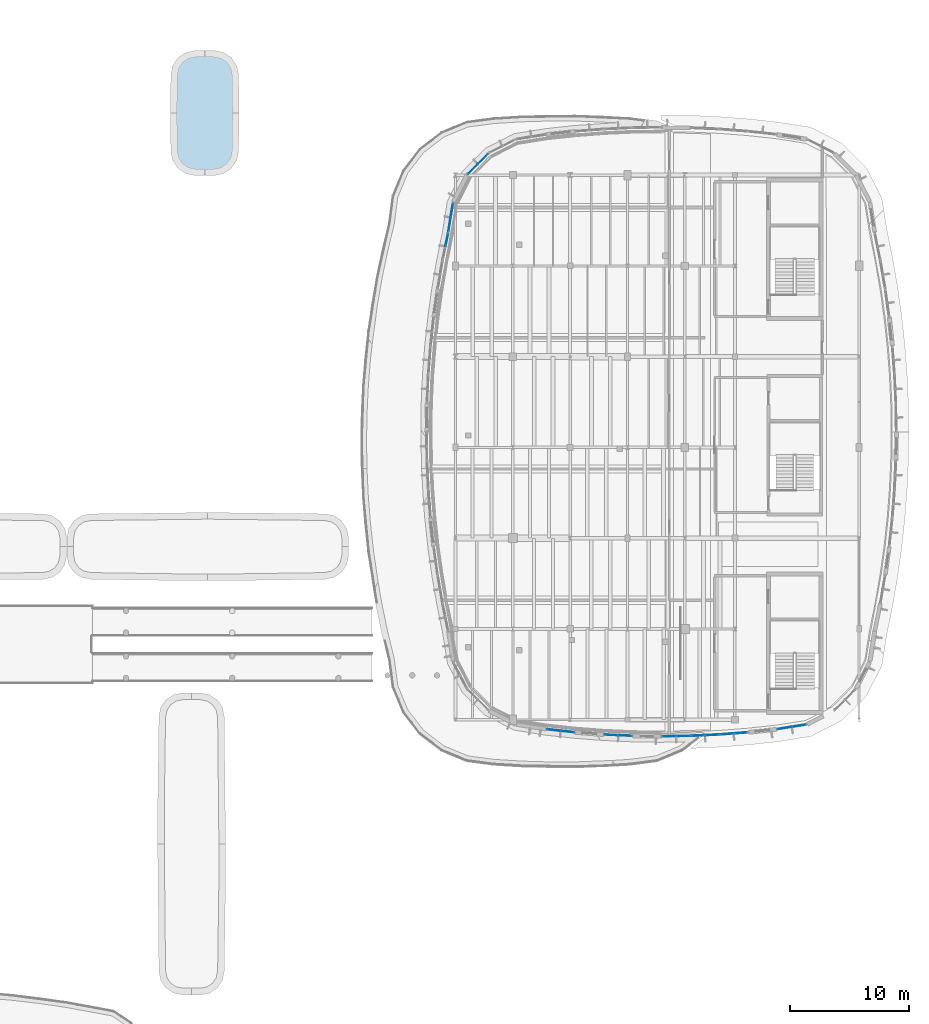
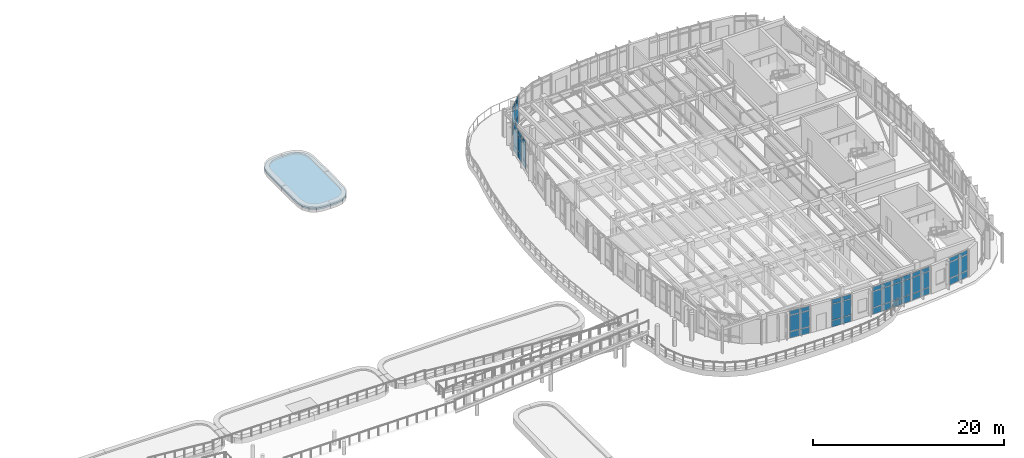
# One storey, part 77 of 111: 51 plates, 1 slab, 9 elements without a shape of their own.
"""IFC4 building model written with IfcOpenShell, lengths in metres."""

import ifcopenshell
import ifcopenshell.guid

model = None  # the IFC model being written
_history = None  # IfcOwnerHistory: only IFC2X3 demands one
_inside = {}  # id of a spatial element -> (the spatial element, [elements in it])
_under = {}  # id of a project, library or spatial element -> (it, [spatial elements below it])
_declared = {}  # id of a project -> (the project, [libraries it declares])
_typed = {}  # id of a type object -> (the type object, [elements of that type])
_made_of = {}  # id of a material, layer set ... -> (it, [elements and type objects made of it])


def new_model(schema):
    """Start an empty IFC model of exactly this schema.

    Asked for "IFC4X3", IfcOpenShell would pick the latest addendum, in which some entities
    have other attributes; the version numbers below select the first issue.
    IFC2X3 requires an IfcOwnerHistory on every rooted entity: one is made here for all.
    """
    global model, _history
    if schema == "IFC4X3":
        model = ifcopenshell.file(schema_version=(4, 3, 0, 0))
    else:
        model = ifcopenshell.file(schema=schema)
    _inside.clear()
    _under.clear()
    _declared.clear()
    _typed.clear()
    _made_of.clear()
    _history = None
    if model.schema == "IFC2X3":
        org = make("IfcOrganization", Name="unknown")
        user = make(
            "IfcPersonAndOrganization",
            ThePerson=make("IfcPerson", FamilyName="unknown"),
            TheOrganization=org,
        )
        app = make(
            "IfcApplication",
            ApplicationDeveloper=org,
            Version="unknown",
            ApplicationFullName="unknown",
            ApplicationIdentifier="unknown",
        )
        _history = make(
            "IfcOwnerHistory",
            OwningUser=user,
            OwningApplication=app,
            ChangeAction="ADDED",
            CreationDate=0,
        )
    return model


def make(cls, **values):
    """One entity of the class cls with the attributes given. An attribute that is None is left unset."""
    return model.create_entity(
        cls, **{name: value for name, value in values.items() if value is not None}
    )


def rooted(cls, **values):
    """An entity with a GlobalId (a new one), such as an element, a storey or a relation."""
    return make(cls, GlobalId=ifcopenshell.guid.new(), OwnerHistory=_history, **values)


def si_unit(unit_type, name, prefix=None):
    """IfcSIUnit, for example si_unit("LENGTHUNIT", "METRE", prefix="MILLI")."""
    return make("IfcSIUnit", UnitType=unit_type, Prefix=prefix, Name=name)


def assignment(units):
    """IfcUnitAssignment: the units of a project."""
    return None if units is None else make("IfcUnitAssignment", Units=units)


def point(xyz):
    """IfcCartesianPoint."""
    return None if xyz is None else make("IfcCartesianPoint", Coordinates=xyz)


def direction(xyz):
    """IfcDirection."""
    return None if xyz is None else make("IfcDirection", DirectionRatios=xyz)


def frame(location, z_axis=None, x_axis=None):
    """IfcAxis2Placement3D, a coordinate frame: its origin and axes. An axis left out is left unset."""
    return make(
        "IfcAxis2Placement3D",
        Location=point(location),
        Axis=direction(z_axis),
        RefDirection=direction(x_axis),
    )


def frame_2d(location, x_axis=None):
    """IfcAxis2Placement2D, a coordinate frame in the plane: its origin and x axis."""
    return make(
        "IfcAxis2Placement2D", Location=point(location), RefDirection=direction(x_axis)
    )


def origin():
    """The frame at (0, 0, 0) with its axes left unset."""
    return frame((0.0, 0.0, 0.0))


def origin_2d():
    """The frame at (0, 0) in the plane with its x axis left unset."""
    return frame_2d((0.0, 0.0))


def place(relative_to, where):
    """IfcLocalPlacement: puts the frame where relative to a parent placement (None: the world)."""
    return make(
        "IfcLocalPlacement", PlacementRelTo=relative_to, RelativePlacement=where
    )


def context(
    kind, dimensions, precision=None, world=None, true_north=None, identifier=None
):
    """IfcGeometricRepresentationContext, for example the 3D "Model" context."""
    return make(
        "IfcGeometricRepresentationContext",
        ContextIdentifier=identifier,
        ContextType=kind,
        CoordinateSpaceDimension=dimensions,
        Precision=precision,
        WorldCoordinateSystem=world,
        TrueNorth=true_north,
    )


def subcontext(parent, identifier, kind, view, scale=None):
    """IfcGeometricRepresentationSubContext, for example "Body" below "Model"."""
    return make(
        "IfcGeometricRepresentationSubContext",
        ContextIdentifier=identifier,
        ContextType=kind,
        ParentContext=parent,
        TargetScale=scale,
        TargetView=view,
    )


def project(units=None, contexts=None):
    """IfcProject with its units and contexts."""
    return rooted(
        "IfcProject",
        Name="project",
        RepresentationContexts=contexts,
        UnitsInContext=assignment(units),
    )


def spatial(cls, under=None, at=None, **own):
    """A site, building, storey or space (cls), placed at a placement, below another one or the project."""
    s = rooted(cls, ObjectPlacement=at, **own)
    if under is not None:
        _under.setdefault(under.id(), (under, []))[1].append(s)
    return s


def polyline(points):
    """IfcPolyline through the points."""
    return make("IfcPolyline", Points=[point(p) for p in points])


def profile(cls, at=None, kind="AREA", **sizes):
    """A parametric profile (cls). Its sizes go by their IFC names, for example OverallWidth=200.0."""
    return make(cls, ProfileType=kind, Position=at, **sizes)


def rectangle(**sizes):
    """IfcRectangleProfileDef."""
    return profile("IfcRectangleProfileDef", **sizes)


def outline(outer, holes=None, kind="AREA"):
    """IfcArbitraryClosedProfileDef: a profile drawn as a closed curve; with holes, ...WithVoids."""
    if holes is None:
        return make("IfcArbitraryClosedProfileDef", ProfileType=kind, OuterCurve=outer)
    return make(
        "IfcArbitraryProfileDefWithVoids",
        ProfileType=kind,
        OuterCurve=outer,
        InnerCurves=holes,
    )


def extrude(swept, where, along, depth):
    """IfcExtrudedAreaSolid: the profile swept, set in the frame where, extruded along a direction by depth."""
    return make(
        "IfcExtrudedAreaSolid",
        SweptArea=swept,
        Position=where,
        ExtrudedDirection=direction(along),
        Depth=depth,
    )


def shape(context_of_items, identifier, shape_type, items):
    """IfcShapeRepresentation: the items that make up one representation, for example the "Body"."""
    return make(
        "IfcShapeRepresentation",
        ContextOfItems=context_of_items,
        RepresentationIdentifier=identifier,
        RepresentationType=shape_type,
        Items=items,
    )


def material(Name=None, Category=None):
    """IfcMaterial."""
    return make("IfcMaterial", Name=Name, Category=Category)


def layer(
    of_material, thickness, ventilated=None, Name=None, Category=None, Priority=None
):
    """IfcMaterialLayer: one layer of a wall or slab, of a material (None: an air gap)."""
    return make(
        "IfcMaterialLayer",
        Material=of_material,
        LayerThickness=thickness,
        IsVentilated=ventilated,
        Name=Name,
        Category=Category,
        Priority=Priority,
    )


def layer_set(layers, Name=None):
    """IfcMaterialLayerSet."""
    return make("IfcMaterialLayerSet", MaterialLayers=layers, LayerSetName=Name)


def made_of(thing, what):
    """Note that an element or type object is made of a material, layer set ...; save() writes the relation."""
    if what is not None:
        _made_of.setdefault(what.id(), (what, []))[1].append(thing)
    return thing


def type_object(cls, material=None, **own):
    """A type object (cls), such as IfcWallType, which elements share."""
    return made_of(rooted(cls, **own), material)


def element(
    cls,
    number,
    at=None,
    inside=None,
    cuts=None,
    type_object=None,
    material=None,
    context=None,
    identifier="Body",
    shape_type=None,
    held_by="IfcProductDefinitionShape",
    body=None,
    shapes=None,
    **own,
):
    """One element of the class cls, such as IfcWall. Its Tag is "e" and its number.

    at: its placement. inside: the storey or other place that contains it. cuts: it is an
    opening in that element (IfcRelVoidsElement). A single representation is given by context,
    identifier, shape_type and body (its items); several are given by shapes. held_by: the class
    of the entity that holds the representations. save() writes the other relations.
    """
    e = rooted(cls, Tag="e%d" % number, ObjectPlacement=at, **own)
    if body is not None:
        shapes = [shape(context, identifier, shape_type, body)]
    if shapes is not None:
        e.Representation = make(held_by, Representations=shapes)
    if inside is not None:
        _inside.setdefault(inside.id(), (inside, []))[1].append(e)
    if cuts is not None:
        rooted(
            "IfcRelVoidsElement", RelatingBuildingElement=cuts, RelatedOpeningElement=e
        )
    if type_object is not None:
        _typed.setdefault(type_object.id(), (type_object, []))[1].append(e)
    return made_of(e, material)


def aggregate(whole, parts):
    """IfcRelAggregates: a whole, such as a stair, and the parts it consists of."""
    return rooted("IfcRelAggregates", RelatingObject=whole, RelatedObjects=parts)


def save(model, path):
    """Write the relations noted so far, then the file.

    IfcRelAggregates (storeys below a building ...), IfcRelContainedInSpatialStructure (elements
    in a storey), IfcRelDefinesByType, IfcRelAssociatesMaterial and IfcRelDeclares: one each for
    every whole, place, type object, material and project.
    """
    for whole, parts in _under.values():
        aggregate(whole, parts)
    for where, things in _inside.values():
        rooted(
            "IfcRelContainedInSpatialStructure",
            RelatedElements=things,
            RelatingStructure=where,
        )
    for kind, things in _typed.values():
        rooted("IfcRelDefinesByType", RelatedObjects=things, RelatingType=kind)
    for what, things in _made_of.values():
        rooted("IfcRelAssociatesMaterial", RelatedObjects=things, RelatingMaterial=what)
    for by, libraries in _declared.values():
        rooted("IfcRelDeclares", RelatingContext=by, RelatedDefinitions=libraries)
    model.write(path)


model = new_model("IFC4")

# Units and contexts
model_context = context("Model", 3, precision=1e-05, world=origin(), true_north=direction((0.0, 1.0)))
body_context = subcontext(model_context, "Body", "Model", "MODEL_VIEW")
ifc_project = project(units=[si_unit("LENGTHUNIT", "METRE"), si_unit("AREAUNIT", "SQUARE_METRE"), si_unit("VOLUMEUNIT", "CUBIC_METRE"), si_unit("PLANEANGLEUNIT", "RADIAN"), si_unit("MASSUNIT", "GRAM", prefix="KILO")], contexts=[model_context])

# Site, building, storey
site_placement = place(None, origin())
site = spatial("IfcSite", under=ifc_project, at=site_placement, CompositionType="ELEMENT")
building_placement = place(site_placement, origin())
building = spatial("IfcBuilding", under=site, at=building_placement, Name="Corveleigh Park Community Centre", CompositionType="ELEMENT")
storey_placement = place(building_placement, frame((0.0, 0.0, 4.800048828125)))
storey = spatial("IfcBuildingStorey", under=building, at=storey_placement, Name="L01", CompositionType="ELEMENT", Elevation=4.800048828125)

# Curtain wall, plates
ifc_material_1 = material(Name="Anodised aluminium 6063-T6", Category="aluminium")
curtain_wall_type = type_object("IfcCurtainWallType", Name="CW-SYS-V4-L01", PredefinedType="NOTDEFINED", material=ifc_material_1)
curtain_wall_1_placement = place(storey_placement, origin())
curtain_wall_1 = element("IfcCurtainWall", 1, at=curtain_wall_1_placement, inside=storey, type_object=curtain_wall_type, Name="V4 L01 Curtain Wall 265", PredefinedType="NOTDEFINED")
ifc_material_2 = material(Name="Low-E double glazing", Category="glass")
ifc_layer_1 = layer(ifc_material_2, 0.02392578125, Name="Low-E double glazing", Category="glass")
ifc_layer_set_1 = layer_set([ifc_layer_1], Name="Low-E double glazing")
plate_type_1 = type_object("IfcPlateType", Name="CWP-GLZ-24", PredefinedType="CURTAIN_PANEL", material=ifc_layer_set_1)
plate_1_placement = place(storey_placement, frame((163.35986328125, 58.094482421875, 0.080078125), z_axis=(0.0, 0.0, 1.0), x_axis=(-0.987724261762, -0.156207498942, 0.0)))
plate_1 = element("IfcPlate", 2, at=plate_1_placement, type_object=plate_type_1, Name="CW08 panel 1.1", PredefinedType="CURTAIN_PANEL", context=body_context, shape_type="SweptSolid", body=[
    extrude(rectangle(XDim=1.16796875, YDim=0.02392578125, at=origin_2d()), origin(), (0.0, 0.0, 1.0), 0.780029296875),
])
plate_2_placement = place(storey_placement, frame((163.35986328125, 58.094482421875, 0.93994140625), z_axis=(0.0, 0.0, 1.0), x_axis=(-0.987724261762, -0.156207498942, 0.0)))
plate_2 = element("IfcPlate", 3, at=plate_2_placement, type_object=plate_type_1, Name="CW08 panel 1.2", PredefinedType="CURTAIN_PANEL", context=body_context, shape_type="SweptSolid", body=[
    extrude(rectangle(XDim=1.16796875, YDim=0.02392578125, at=origin_2d()), origin(), (0.0, 0.0, 1.0), 1.98193359375),
])
plate_3_placement = place(storey_placement, frame((163.35986328125, 58.094482421875, 3.001953125), z_axis=(0.0, 0.0, 1.0), x_axis=(-0.987724261762, -0.156207498942, 0.0)))
plate_3 = element("IfcPlate", 4, at=plate_3_placement, type_object=plate_type_1, Name="CW08 panel 1.3", PredefinedType="CURTAIN_PANEL", context=body_context, shape_type="SweptSolid", body=[
    extrude(rectangle(XDim=1.16796875, YDim=0.02392578125, at=origin_2d()), origin(), (0.0, 0.0, 1.0), 0.530029296875),
])
plate_4_placement = place(storey_placement, frame((162.14697265625, 57.902587890625, 0.080078125), z_axis=(0.0, 0.0, 1.0), x_axis=(-0.987724261762, -0.156207498942, 0.0)))
plate_4 = element("IfcPlate", 5, at=plate_4_placement, type_object=plate_type_1, Name="CW08 panel 2.1", PredefinedType="CURTAIN_PANEL", context=body_context, shape_type="SweptSolid", body=[
    extrude(rectangle(XDim=1.16796875, YDim=0.02392578125, at=origin_2d()), origin(), (0.0, 0.0, 1.0), 0.780029296875),
])
plate_5_placement = place(storey_placement, frame((162.14697265625, 57.902587890625, 0.93994140625), z_axis=(0.0, 0.0, 1.0), x_axis=(-0.987724261762, -0.156207498942, 0.0)))
plate_5 = element("IfcPlate", 6, at=plate_5_placement, type_object=plate_type_1, Name="CW08 panel 2.2", PredefinedType="CURTAIN_PANEL", context=body_context, shape_type="SweptSolid", body=[
    extrude(rectangle(XDim=1.16796875, YDim=0.02392578125, at=origin_2d()), origin(), (0.0, 0.0, 1.0), 1.98193359375),
])
plate_6_placement = place(storey_placement, frame((162.14697265625, 57.902587890625, 3.001953125), z_axis=(0.0, 0.0, 1.0), x_axis=(-0.987724261762, -0.156207498942, 0.0)))
plate_6 = element("IfcPlate", 7, at=plate_6_placement, type_object=plate_type_1, Name="CW08 panel 2.3", PredefinedType="CURTAIN_PANEL", context=body_context, shape_type="SweptSolid", body=[
    extrude(rectangle(XDim=1.16796875, YDim=0.02392578125, at=origin_2d()), origin(), (0.0, 0.0, 1.0), 0.530029296875),
])
aggregate(curtain_wall_1, [plate_1, plate_2, plate_3, plate_4, plate_5, plate_6])

curtain_wall_2_placement = place(storey_placement, origin())
curtain_wall_2 = element("IfcCurtainWall", 8, at=curtain_wall_2_placement, inside=storey, type_object=curtain_wall_type, Name="V4 L01 Curtain Wall 260", PredefinedType="NOTDEFINED")
ifc_layer_2 = layer(ifc_material_2, 0.035888671875, Name="Low-E double glazing", Category="glass")
ifc_layer_set_2 = layer_set([ifc_layer_2], Name="Low-E double glazing")
plate_type_2 = type_object("IfcPlateType", Name="CWP-GLZ-36", PredefinedType="CURTAIN_PANEL", material=ifc_layer_set_2)
plate_7_placement = place(storey_placement, frame((143.98291015625, 57.6064453125, 0.080078125), z_axis=(0.0, 0.0, 1.0), x_axis=(-0.994150304811, 0.108005423213, 0.0)))
plate_7 = element("IfcPlate", 9, at=plate_7_placement, type_object=plate_type_2, Name="CW08 panel 1.1", PredefinedType="CURTAIN_PANEL", context=body_context, shape_type="SweptSolid", body=[
    extrude(rectangle(XDim=1.1015625, YDim=0.035888671875, at=origin_2d()), origin(), (0.0, 0.0, 1.0), 0.780029296875),
])
plate_8_placement = place(storey_placement, frame((143.98291015625, 57.6064453125, 0.93994140625), z_axis=(0.0, 0.0, 1.0), x_axis=(-0.994150304811, 0.108005423213, 0.0)))
plate_8 = element("IfcPlate", 10, at=plate_8_placement, type_object=plate_type_2, Name="CW08 panel 1.2", PredefinedType="CURTAIN_PANEL", context=body_context, shape_type="SweptSolid", body=[
    extrude(rectangle(XDim=1.1015625, YDim=0.035888671875, at=origin_2d()), origin(), (0.0, 0.0, 1.0), 2.007080078125),
])
plate_9_placement = place(storey_placement, frame((143.98291015625, 57.6064453125, 3.02685546875), z_axis=(0.0, 0.0, 1.0), x_axis=(-0.994150304811, 0.108005423213, 0.0)))
plate_9 = element("IfcPlate", 11, at=plate_9_placement, type_object=plate_type_2, Name="CW08 panel 1.3", PredefinedType="CURTAIN_PANEL", context=body_context, shape_type="SweptSolid", body=[
    extrude(rectangle(XDim=1.1015625, YDim=0.035888671875, at=origin_2d()), origin(), (0.0, 0.0, 1.0), 0.530029296875),
])
plate_10_placement = place(storey_placement, frame((142.8232421875, 57.732421875, 0.080078125), z_axis=(0.0, 0.0, 1.0), x_axis=(-0.994150304811, 0.108005423213, 0.0)))
plate_10 = element("IfcPlate", 12, at=plate_10_placement, type_object=plate_type_2, Name="CW08 panel 2.1", PredefinedType="CURTAIN_PANEL", context=body_context, shape_type="SweptSolid", body=[
    extrude(rectangle(XDim=1.1015625, YDim=0.035888671875, at=origin_2d()), origin(), (0.0, 0.0, 1.0), 0.780029296875),
])
plate_11_placement = place(storey_placement, frame((142.8232421875, 57.732421875, 0.93994140625), z_axis=(0.0, 0.0, 1.0), x_axis=(-0.994150304811, 0.108005423213, 0.0)))
plate_11 = element("IfcPlate", 13, at=plate_11_placement, type_object=plate_type_2, Name="CW08 panel 2.2", PredefinedType="CURTAIN_PANEL", context=body_context, shape_type="SweptSolid", body=[
    extrude(rectangle(XDim=1.1015625, YDim=0.035888671875, at=origin_2d()), origin(), (0.0, 0.0, 1.0), 2.007080078125),
])
plate_12_placement = place(storey_placement, frame((142.8232421875, 57.732421875, 3.02685546875), z_axis=(0.0, 0.0, 1.0), x_axis=(-0.994150304811, 0.108005423213, 0.0)))
plate_12 = element("IfcPlate", 14, at=plate_12_placement, type_object=plate_type_2, Name="CW08 panel 2.3", PredefinedType="CURTAIN_PANEL", context=body_context, shape_type="SweptSolid", body=[
    extrude(rectangle(XDim=1.1015625, YDim=0.035888671875, at=origin_2d()), origin(), (0.0, 0.0, 1.0), 0.530029296875),
])
aggregate(curtain_wall_2, [plate_7, plate_8, plate_9, plate_10, plate_11, plate_12])

curtain_wall_3_placement = place(storey_placement, origin())
curtain_wall_3 = element("IfcCurtainWall", 15, at=curtain_wall_3_placement, inside=storey, type_object=curtain_wall_type, Name="V4 L01 Curtain Wall 261", PredefinedType="NOTDEFINED")
ifc_layer_3 = layer(ifc_material_2, 0.0400390625, Name="Low-E double glazing", Category="glass")
ifc_layer_set_3 = layer_set([ifc_layer_3], Name="Low-E double glazing")
plate_type_3 = type_object("IfcPlateType", Name="CWP-GLZ-40", PredefinedType="CURTAIN_PANEL", material=ifc_layer_set_3)
plate_13_placement = place(storey_placement, frame((148.805908203125, 57.269775390625, 0.059814453125), z_axis=(0.0, 0.0, 1.0), x_axis=(-0.998911075247, 0.046654729122, 0.0)))
plate_13 = element("IfcPlate", 16, at=plate_13_placement, type_object=plate_type_3, Name="CW08 panel 1.1", PredefinedType="CURTAIN_PANEL", context=body_context, shape_type="SweptSolid", body=[
    extrude(rectangle(XDim=1.09521484375, YDim=0.0400390625, at=origin_2d()), origin(), (0.0, 0.0, 1.0), 0.81005859375),
])
plate_14_placement = place(storey_placement, frame((148.805908203125, 57.269775390625, 0.9296875), z_axis=(0.0, 0.0, 1.0), x_axis=(-0.998911075247, 0.046654729122, 0.0)))
plate_14 = element("IfcPlate", 17, at=plate_14_placement, type_object=plate_type_3, Name="CW08 panel 1.2", PredefinedType="CURTAIN_PANEL", context=body_context, shape_type="SweptSolid", body=[
    extrude(rectangle(XDim=1.09521484375, YDim=0.0400390625, at=origin_2d()), origin(), (0.0, 0.0, 1.0), 2.027099609375),
])
plate_15_placement = place(storey_placement, frame((148.805908203125, 57.269775390625, 3.016845703125), z_axis=(0.0, 0.0, 1.0), x_axis=(-0.998911075247, 0.046654729122, 0.0)))
plate_15 = element("IfcPlate", 18, at=plate_15_placement, type_object=plate_type_3, Name="CW08 panel 1.3", PredefinedType="CURTAIN_PANEL", context=body_context, shape_type="SweptSolid", body=[
    extrude(rectangle(XDim=1.09521484375, YDim=0.0400390625, at=origin_2d()), origin(), (0.0, 0.0, 1.0), 0.56005859375),
])
plate_16_placement = place(storey_placement, frame((147.64208984375, 57.32421875, 0.059814453125), z_axis=(0.0, 0.0, 1.0), x_axis=(-0.998911075247, 0.046654729122, 0.0)))
plate_16 = element("IfcPlate", 19, at=plate_16_placement, type_object=plate_type_3, Name="CW08 panel 2.1", PredefinedType="CURTAIN_PANEL", context=body_context, shape_type="SweptSolid", body=[
    extrude(rectangle(XDim=1.09521484375, YDim=0.0400390625, at=origin_2d()), origin(), (0.0, 0.0, 1.0), 0.81005859375),
])
plate_17_placement = place(storey_placement, frame((147.64208984375, 57.32421875, 0.9296875), z_axis=(0.0, 0.0, 1.0), x_axis=(-0.998911075247, 0.046654729122, 0.0)))
plate_17 = element("IfcPlate", 20, at=plate_17_placement, type_object=plate_type_3, Name="CW08 panel 2.2", PredefinedType="CURTAIN_PANEL", context=body_context, shape_type="SweptSolid", body=[
    extrude(rectangle(XDim=1.09521484375, YDim=0.0400390625, at=origin_2d()), origin(), (0.0, 0.0, 1.0), 2.027099609375),
])
plate_18_placement = place(storey_placement, frame((147.64208984375, 57.32421875, 3.016845703125), z_axis=(0.0, 0.0, 1.0), x_axis=(-0.998911075247, 0.046654729122, 0.0)))
plate_18 = element("IfcPlate", 21, at=plate_18_placement, type_object=plate_type_3, Name="CW08 panel 2.3", PredefinedType="CURTAIN_PANEL", context=body_context, shape_type="SweptSolid", body=[
    extrude(rectangle(XDim=1.09521484375, YDim=0.0400390625, at=origin_2d()), origin(), (0.0, 0.0, 1.0), 0.56005859375),
])
aggregate(curtain_wall_3, [plate_13, plate_14, plate_15, plate_16, plate_17, plate_18])

curtain_wall_4_placement = place(storey_placement, origin())
curtain_wall_4 = element("IfcCurtainWall", 22, at=curtain_wall_4_placement, inside=storey, type_object=curtain_wall_type, Name="V4 L01 Curtain Wall 262", PredefinedType="NOTDEFINED")
plate_19_placement = place(storey_placement, frame((153.64013671875, 57.2314453125, 0.06494140625), z_axis=(0.0, 0.0, 1.0), x_axis=(-0.999881184374, -0.01541483492, 0.0)))
plate_19 = element("IfcPlate", 23, at=plate_19_placement, type_object=plate_type_3, Name="CW08 panel 1.1", PredefinedType="CURTAIN_PANEL", context=body_context, shape_type="SweptSolid", body=[
    extrude(rectangle(XDim=1.087646484375, YDim=0.0400390625, at=origin_2d()), origin(), (0.0, 0.0, 1.0), 0.802490234375),
])
plate_20_placement = place(storey_placement, frame((153.64013671875, 57.2314453125, 0.932373046875), z_axis=(0.0, 0.0, 1.0), x_axis=(-0.999881184374, -0.01541483492, 0.0)))
plate_20 = element("IfcPlate", 24, at=plate_20_placement, type_object=plate_type_3, Name="CW08 panel 1.2", PredefinedType="CURTAIN_PANEL", context=body_context, shape_type="SweptSolid", body=[
    extrude(rectangle(XDim=1.087646484375, YDim=0.0400390625, at=origin_2d()), origin(), (0.0, 0.0, 1.0), 2.02197265625),
])
plate_21_placement = place(storey_placement, frame((153.64013671875, 57.2314453125, 3.01953125), z_axis=(0.0, 0.0, 1.0), x_axis=(-0.999881184374, -0.01541483492, 0.0)))
plate_21 = element("IfcPlate", 25, at=plate_21_placement, type_object=plate_type_3, Name="CW08 panel 1.3", PredefinedType="CURTAIN_PANEL", context=body_context, shape_type="SweptSolid", body=[
    extrude(rectangle(XDim=1.087646484375, YDim=0.0400390625, at=origin_2d()), origin(), (0.0, 0.0, 1.0), 0.552490234375),
])
plate_22_placement = place(storey_placement, frame((152.477783203125, 57.213623046875, 0.06494140625), z_axis=(0.0, 0.0, 1.0), x_axis=(-0.999881184374, -0.01541483492, 0.0)))
plate_22 = element("IfcPlate", 26, at=plate_22_placement, type_object=plate_type_3, Name="CW08 panel 2.1", PredefinedType="CURTAIN_PANEL", context=body_context, shape_type="SweptSolid", body=[
    extrude(rectangle(XDim=1.087646484375, YDim=0.0400390625, at=origin_2d()), origin(), (0.0, 0.0, 1.0), 0.802490234375),
])
plate_23_placement = place(storey_placement, frame((152.477783203125, 57.213623046875, 0.932373046875), z_axis=(0.0, 0.0, 1.0), x_axis=(-0.999881184374, -0.01541483492, 0.0)))
plate_23 = element("IfcPlate", 27, at=plate_23_placement, type_object=plate_type_3, Name="CW08 panel 2.2", PredefinedType="CURTAIN_PANEL", context=body_context, shape_type="SweptSolid", body=[
    extrude(rectangle(XDim=1.087646484375, YDim=0.0400390625, at=origin_2d()), origin(), (0.0, 0.0, 1.0), 2.02197265625),
])
plate_24_placement = place(storey_placement, frame((152.477783203125, 57.213623046875, 3.01953125), z_axis=(0.0, 0.0, 1.0), x_axis=(-0.999881184374, -0.01541483492, 0.0)))
plate_24 = element("IfcPlate", 28, at=plate_24_placement, type_object=plate_type_3, Name="CW08 panel 2.3", PredefinedType="CURTAIN_PANEL", context=body_context, shape_type="SweptSolid", body=[
    extrude(rectangle(XDim=1.087646484375, YDim=0.0400390625, at=origin_2d()), origin(), (0.0, 0.0, 1.0), 0.552490234375),
])
aggregate(curtain_wall_4, [plate_19, plate_20, plate_21, plate_22, plate_23, plate_24])

curtain_wall_5_placement = place(storey_placement, origin())
curtain_wall_5 = element("IfcCurtainWall", 29, at=curtain_wall_5_placement, inside=storey, type_object=curtain_wall_type, Name="V4 L01 Curtain Wall 286", PredefinedType="NOTDEFINED")
plate_25_placement = place(storey_placement, frame((136.046142578125, 104.7001953125, 0.059814453125), z_axis=(0.0, 0.0, 1.0), x_axis=(0.707106781187, 0.707106781187, 0.0)))
plate_25 = element("IfcPlate", 30, at=plate_25_placement, type_object=plate_type_3, Name="CW08 panel 1.1", PredefinedType="CURTAIN_PANEL", context=body_context, shape_type="SweptSolid", body=[
    extrude(rectangle(XDim=1.132080078125, YDim=0.0400390625, at=origin_2d()), origin(), (0.0, 0.0, 1.0), 0.81005859375),
])
plate_26_placement = place(storey_placement, frame((136.046142578125, 104.7001953125, 0.9296875), z_axis=(0.0, 0.0, 1.0), x_axis=(0.707106781187, 0.707106781187, 0.0)))
plate_26 = element("IfcPlate", 31, at=plate_26_placement, type_object=plate_type_3, Name="CW08 panel 1.2", PredefinedType="CURTAIN_PANEL", context=body_context, shape_type="SweptSolid", body=[
    extrude(rectangle(XDim=1.132080078125, YDim=0.0400390625, at=origin_2d()), origin(), (0.0, 0.0, 1.0), 2.027099609375),
])
plate_27_placement = place(storey_placement, frame((136.046142578125, 104.7001953125, 3.016845703125), z_axis=(0.0, 0.0, 1.0), x_axis=(0.707106781187, 0.707106781187, 0.0)))
plate_27 = element("IfcPlate", 32, at=plate_27_placement, type_object=plate_type_3, Name="CW08 panel 1.3", PredefinedType="CURTAIN_PANEL", context=body_context, shape_type="SweptSolid", body=[
    extrude(rectangle(XDim=1.132080078125, YDim=0.0400390625, at=origin_2d()), origin(), (0.0, 0.0, 1.0), 0.56005859375),
])
plate_28_placement = place(storey_placement, frame((136.899658203125, 105.5537109375, 0.059814453125), z_axis=(0.0, 0.0, 1.0), x_axis=(0.707106781187, 0.707106781187, 0.0)))
plate_28 = element("IfcPlate", 33, at=plate_28_placement, type_object=plate_type_3, Name="CW08 panel 2.1", PredefinedType="CURTAIN_PANEL", context=body_context, shape_type="SweptSolid", body=[
    extrude(rectangle(XDim=1.132080078125, YDim=0.0400390625, at=origin_2d()), origin(), (0.0, 0.0, 1.0), 0.81005859375),
])
plate_29_placement = place(storey_placement, frame((136.899658203125, 105.5537109375, 0.9296875), z_axis=(0.0, 0.0, 1.0), x_axis=(0.707106781187, 0.707106781187, 0.0)))
plate_29 = element("IfcPlate", 34, at=plate_29_placement, type_object=plate_type_3, Name="CW08 panel 2.2", PredefinedType="CURTAIN_PANEL", context=body_context, shape_type="SweptSolid", body=[
    extrude(rectangle(XDim=1.132080078125, YDim=0.0400390625, at=origin_2d()), origin(), (0.0, 0.0, 1.0), 2.027099609375),
])
plate_30_placement = place(storey_placement, frame((136.899658203125, 105.5537109375, 3.016845703125), z_axis=(0.0, 0.0, 1.0), x_axis=(0.707106781187, 0.707106781187, 0.0)))
plate_30 = element("IfcPlate", 35, at=plate_30_placement, type_object=plate_type_3, Name="CW08 panel 2.3", PredefinedType="CURTAIN_PANEL", context=body_context, shape_type="SweptSolid", body=[
    extrude(rectangle(XDim=1.132080078125, YDim=0.0400390625, at=origin_2d()), origin(), (0.0, 0.0, 1.0), 0.56005859375),
])
aggregate(curtain_wall_5, [plate_25, plate_26, plate_27, plate_28, plate_29, plate_30])

curtain_wall_6_placement = place(storey_placement, origin())
curtain_wall_6 = element("IfcCurtainWall", 36, at=curtain_wall_6_placement, inside=storey, type_object=curtain_wall_type, Name="V4 L01 Curtain Wall 263", PredefinedType="NOTDEFINED")
ifc_layer_4 = layer(ifc_material_2, 0.0439453125, Name="Low-E double glazing", Category="glass")
ifc_layer_set_4 = layer_set([ifc_layer_4], Name="Low-E double glazing")
plate_type_4 = type_object("IfcPlateType", Name="CWP-GLZ-44", PredefinedType="CURTAIN_PANEL", material=ifc_layer_set_4)
plate_31_placement = place(storey_placement, frame((156.055419921875, 57.323974609375, 0.070068359375), z_axis=(0.0, 0.0, 1.0), x_axis=(-0.998911075247, -0.046654729122, 0.0)))
plate_31 = element("IfcPlate", 37, at=plate_31_placement, type_object=plate_type_4, Name="CW08 panel 1.1", PredefinedType="CURTAIN_PANEL", context=body_context, shape_type="SweptSolid", body=[
    extrude(rectangle(XDim=1.080322265625, YDim=0.0439453125, at=origin_2d()), origin(), (0.0, 0.0, 1.0), 0.794921875),
])
plate_32_placement = place(storey_placement, frame((156.055419921875, 57.323974609375, 0.934814453125), z_axis=(0.0, 0.0, 1.0), x_axis=(-0.998911075247, -0.046654729122, 0.0)))
plate_32 = element("IfcPlate", 38, at=plate_32_placement, type_object=plate_type_4, Name="CW08 panel 1.2", PredefinedType="CURTAIN_PANEL", context=body_context, shape_type="SweptSolid", body=[
    extrude(rectangle(XDim=1.080322265625, YDim=0.0439453125, at=origin_2d()), origin(), (0.0, 0.0, 1.0), 2.01708984375),
])
plate_33_placement = place(storey_placement, frame((156.055419921875, 57.323974609375, 3.02197265625), z_axis=(0.0, 0.0, 1.0), x_axis=(-0.998911075247, -0.046654729122, 0.0)))
plate_33 = element("IfcPlate", 39, at=plate_33_placement, type_object=plate_type_4, Name="CW08 panel 1.3", PredefinedType="CURTAIN_PANEL", context=body_context, shape_type="SweptSolid", body=[
    extrude(rectangle(XDim=1.080322265625, YDim=0.0439453125, at=origin_2d()), origin(), (0.0, 0.0, 1.0), 0.544921875),
])
plate_34_placement = place(storey_placement, frame((154.896484375, 57.27001953125, 0.070068359375), z_axis=(0.0, 0.0, 1.0), x_axis=(-0.998911075247, -0.046654729122, 0.0)))
plate_34 = element("IfcPlate", 40, at=plate_34_placement, type_object=plate_type_4, Name="CW08 panel 2.1", PredefinedType="CURTAIN_PANEL", context=body_context, shape_type="SweptSolid", body=[
    extrude(rectangle(XDim=1.080322265625, YDim=0.0439453125, at=origin_2d()), origin(), (0.0, 0.0, 1.0), 0.794921875),
])
plate_35_placement = place(storey_placement, frame((154.896484375, 57.27001953125, 0.934814453125), z_axis=(0.0, 0.0, 1.0), x_axis=(-0.998911075247, -0.046654729122, 0.0)))
plate_35 = element("IfcPlate", 41, at=plate_35_placement, type_object=plate_type_4, Name="CW08 panel 2.2", PredefinedType="CURTAIN_PANEL", context=body_context, shape_type="SweptSolid", body=[
    extrude(rectangle(XDim=1.080322265625, YDim=0.0439453125, at=origin_2d()), origin(), (0.0, 0.0, 1.0), 2.01708984375),
])
plate_36_placement = place(storey_placement, frame((154.896484375, 57.27001953125, 3.02197265625), z_axis=(0.0, 0.0, 1.0), x_axis=(-0.998911075247, -0.046654729122, 0.0)))
plate_36 = element("IfcPlate", 42, at=plate_36_placement, type_object=plate_type_4, Name="CW08 panel 2.3", PredefinedType="CURTAIN_PANEL", context=body_context, shape_type="SweptSolid", body=[
    extrude(rectangle(XDim=1.080322265625, YDim=0.0439453125, at=origin_2d()), origin(), (0.0, 0.0, 1.0), 0.544921875),
])
aggregate(curtain_wall_6, [plate_31, plate_32, plate_33, plate_34, plate_35, plate_36])

curtain_wall_7_placement = place(storey_placement, origin())
curtain_wall_7 = element("IfcCurtainWall", 43, at=curtain_wall_7_placement, inside=storey, type_object=curtain_wall_type, Name="V4 L01 Curtain Wall 264", PredefinedType="NOTDEFINED")
plate_37_placement = place(storey_placement, frame((158.46728515625, 57.490478515625, 0.074951171875), z_axis=(0.0, 0.0, 1.0), x_axis=(-0.997059383263, -0.076632801378, 0.0)))
plate_37 = element("IfcPlate", 44, at=plate_37_placement, type_object=plate_type_4, Name="CW08 panel 1.1", PredefinedType="CURTAIN_PANEL", context=body_context, shape_type="SweptSolid", body=[
    extrude(rectangle(XDim=1.072998046875, YDim=0.0439453125, at=origin_2d()), origin(), (0.0, 0.0, 1.0), 0.78759765625),
])
plate_38_placement = place(storey_placement, frame((158.46728515625, 57.490478515625, 0.9375), z_axis=(0.0, 0.0, 1.0), x_axis=(-0.997059383263, -0.076632801378, 0.0)))
plate_38 = element("IfcPlate", 45, at=plate_38_placement, type_object=plate_type_4, Name="CW08 panel 1.2", PredefinedType="CURTAIN_PANEL", context=body_context, shape_type="SweptSolid", body=[
    extrude(rectangle(XDim=1.072998046875, YDim=0.0439453125, at=origin_2d()), origin(), (0.0, 0.0, 1.0), 1.987060546875),
])
plate_39_placement = place(storey_placement, frame((158.46728515625, 57.490478515625, 2.99951171875), z_axis=(0.0, 0.0, 1.0), x_axis=(-0.997059383263, -0.076632801378, 0.0)))
plate_39 = element("IfcPlate", 46, at=plate_39_placement, type_object=plate_type_4, Name="CW08 panel 1.3", PredefinedType="CURTAIN_PANEL", context=body_context, shape_type="SweptSolid", body=[
    extrude(rectangle(XDim=1.072998046875, YDim=0.0439453125, at=origin_2d()), origin(), (0.0, 0.0, 1.0), 0.53759765625),
])
plate_40_placement = place(storey_placement, frame((157.312744140625, 57.401611328125, 0.074951171875), z_axis=(0.0, 0.0, 1.0), x_axis=(-0.997059383263, -0.076632801378, 0.0)))
plate_40 = element("IfcPlate", 47, at=plate_40_placement, type_object=plate_type_4, Name="CW08 panel 2.1", PredefinedType="CURTAIN_PANEL", context=body_context, shape_type="SweptSolid", body=[
    extrude(rectangle(XDim=1.072998046875, YDim=0.0439453125, at=origin_2d()), origin(), (0.0, 0.0, 1.0), 0.78759765625),
])
plate_41_placement = place(storey_placement, frame((157.312744140625, 57.401611328125, 0.9375), z_axis=(0.0, 0.0, 1.0), x_axis=(-0.997059383263, -0.076632801378, 0.0)))
plate_41 = element("IfcPlate", 48, at=plate_41_placement, type_object=plate_type_4, Name="CW08 panel 2.2", PredefinedType="CURTAIN_PANEL", context=body_context, shape_type="SweptSolid", body=[
    extrude(rectangle(XDim=1.072998046875, YDim=0.0439453125, at=origin_2d()), origin(), (0.0, 0.0, 1.0), 1.987060546875),
])
plate_42_placement = place(storey_placement, frame((157.312744140625, 57.401611328125, 2.99951171875), z_axis=(0.0, 0.0, 1.0), x_axis=(-0.997059383263, -0.076632801378, 0.0)))
plate_42 = element("IfcPlate", 49, at=plate_42_placement, type_object=plate_type_4, Name="CW08 panel 2.3", PredefinedType="CURTAIN_PANEL", context=body_context, shape_type="SweptSolid", body=[
    extrude(rectangle(XDim=1.072998046875, YDim=0.0439453125, at=origin_2d()), origin(), (0.0, 0.0, 1.0), 0.53759765625),
])
aggregate(curtain_wall_7, [plate_37, plate_38, plate_39, plate_40, plate_41, plate_42])

curtain_wall_8_placement = place(storey_placement, origin())
curtain_wall_8 = element("IfcCurtainWall", 50, at=curtain_wall_8_placement, inside=storey, type_object=curtain_wall_type, Name="V4 L01 Curtain Wall 287", PredefinedType="NOTDEFINED")
plate_43_placement = place(storey_placement, frame((134.103271484375, 100.05126953125, 0.06494140625), z_axis=(0.0, 0.0, 1.0), x_axis=(0.15614619639, 0.987733954743, 0.0)))
plate_43 = element("IfcPlate", 51, at=plate_43_placement, type_object=plate_type_4, Name="CW08 panel 1.1", PredefinedType="CURTAIN_PANEL", context=body_context, shape_type="SweptSolid", body=[
    extrude(rectangle(XDim=1.138427734375, YDim=0.0439453125, at=origin_2d()), origin(), (0.0, 0.0, 1.0), 0.802490234375),
])
plate_44_placement = place(storey_placement, frame((134.103271484375, 100.05126953125, 0.932373046875), z_axis=(0.0, 0.0, 1.0), x_axis=(0.15614619639, 0.987733954743, 0.0)))
plate_44 = element("IfcPlate", 52, at=plate_44_placement, type_object=plate_type_4, Name="CW08 panel 1.2", PredefinedType="CURTAIN_PANEL", context=body_context, shape_type="SweptSolid", body=[
    extrude(rectangle(XDim=1.138427734375, YDim=0.0439453125, at=origin_2d()), origin(), (0.0, 0.0, 1.0), 2.02197265625),
])
plate_45_placement = place(storey_placement, frame((134.103271484375, 100.05126953125, 3.01953125), z_axis=(0.0, 0.0, 1.0), x_axis=(0.15614619639, 0.987733954743, 0.0)))
plate_45 = element("IfcPlate", 53, at=plate_45_placement, type_object=plate_type_4, Name="CW08 panel 1.3", PredefinedType="CURTAIN_PANEL", context=body_context, shape_type="SweptSolid", body=[
    extrude(rectangle(XDim=1.138427734375, YDim=0.0439453125, at=origin_2d()), origin(), (0.0, 0.0, 1.0), 0.552490234375),
])
plate_46_placement = place(storey_placement, frame((134.293701171875, 101.254638671875, 0.06494140625), z_axis=(0.0, 0.0, 1.0), x_axis=(0.15614619639, 0.987733954743, 0.0)))
plate_46 = element("IfcPlate", 54, at=plate_46_placement, type_object=plate_type_4, Name="CW08 panel 2.1", PredefinedType="CURTAIN_PANEL", context=body_context, shape_type="SweptSolid", body=[
    extrude(rectangle(XDim=1.138427734375, YDim=0.0439453125, at=origin_2d()), origin(), (0.0, 0.0, 1.0), 0.802490234375),
])
plate_47_placement = place(storey_placement, frame((134.293701171875, 101.254638671875, 0.932373046875), z_axis=(0.0, 0.0, 1.0), x_axis=(0.15614619639, 0.987733954743, 0.0)))
plate_47 = element("IfcPlate", 55, at=plate_47_placement, type_object=plate_type_4, Name="CW08 panel 2.2", PredefinedType="CURTAIN_PANEL", context=body_context, shape_type="SweptSolid", body=[
    extrude(rectangle(XDim=1.138427734375, YDim=0.0439453125, at=origin_2d()), origin(), (0.0, 0.0, 1.0), 2.02197265625),
])
plate_48_placement = place(storey_placement, frame((134.293701171875, 101.254638671875, 3.01953125), z_axis=(0.0, 0.0, 1.0), x_axis=(0.15614619639, 0.987733954743, 0.0)))
plate_48 = element("IfcPlate", 56, at=plate_48_placement, type_object=plate_type_4, Name="CW08 panel 2.3", PredefinedType="CURTAIN_PANEL", context=body_context, shape_type="SweptSolid", body=[
    extrude(rectangle(XDim=1.138427734375, YDim=0.0439453125, at=origin_2d()), origin(), (0.0, 0.0, 1.0), 0.552490234375),
])
aggregate(curtain_wall_8, [plate_43, plate_44, plate_45, plate_46, plate_47, plate_48])

curtain_wall_9_placement = place(storey_placement, origin())
curtain_wall_9 = element("IfcCurtainWall", 57, at=curtain_wall_9_placement, inside=storey, type_object=curtain_wall_type, Name="V4 L01 Curtain Wall 288", PredefinedType="NOTDEFINED")
plate_49_placement = place(storey_placement, frame((133.87451171875, 98.784912109375, 0.070068359375), z_axis=(0.0, 0.0, 1.0), x_axis=(0.19998465427, 0.979799029422, 0.0)))
plate_49 = element("IfcPlate", 58, at=plate_49_placement, type_object=plate_type_4, Name="CW08 panel 2.1", PredefinedType="CURTAIN_PANEL", context=body_context, shape_type="SweptSolid", body=[
    extrude(rectangle(XDim=1.065185546875, YDim=0.0439453125, at=origin_2d()), origin(), (0.0, 0.0, 1.0), 0.794921875),
])
plate_50_placement = place(storey_placement, frame((133.87451171875, 98.784912109375, 0.934814453125), z_axis=(0.0, 0.0, 1.0), x_axis=(0.19998465427, 0.979799029422, 0.0)))
plate_50 = element("IfcPlate", 59, at=plate_50_placement, type_object=plate_type_4, Name="CW08 panel 2.2", PredefinedType="CURTAIN_PANEL", context=body_context, shape_type="SweptSolid", body=[
    extrude(rectangle(XDim=1.065185546875, YDim=0.0439453125, at=origin_2d()), origin(), (0.0, 0.0, 1.0), 2.01708984375),
])
plate_51_placement = place(storey_placement, frame((133.87451171875, 98.784912109375, 3.02197265625), z_axis=(0.0, 0.0, 1.0), x_axis=(0.19998465427, 0.979799029422, 0.0)))
plate_51 = element("IfcPlate", 60, at=plate_51_placement, type_object=plate_type_4, Name="CW08 panel 2.3", PredefinedType="CURTAIN_PANEL", context=body_context, shape_type="SweptSolid", body=[
    extrude(rectangle(XDim=1.065185546875, YDim=0.0439453125, at=origin_2d()), origin(), (0.0, 0.0, 1.0), 0.544921875),
])
aggregate(curtain_wall_9, [plate_49, plate_50, plate_51])

# Slab
ifc_material_3 = material(Name="Concrete C32/40", Category="concrete")
ifc_layer_5 = layer(ifc_material_3, 0.205078125, Name="Concrete C32/40", Category="concrete")
ifc_layer_set_5 = layer_set([ifc_layer_5], Name="Concrete C32/40")
slab_type = type_object("IfcSlabType", Name="SLB-CAN-205", PredefinedType="ROOF", material=ifc_layer_set_5)
slab_placement = place(storey_placement, frame((0.0, 0.0, -1.205078125)))
element("IfcSlab", 61, at=slab_placement, inside=storey, type_object=slab_type, Name="Car Park Entrance Portal Canopy", PredefinedType="ROOF", context=body_context, shape_type="SweptSolid", body=[
    extrude(outline(polyline([(112.81591796875, 104.199951171875), (113.339111328125, 104.197998046875), (113.861083984375, 104.197998046875), (114.384033203125, 104.199951171875), (115.155029296875, 104.35302734375), (115.81005859375, 104.7900390625), (116.2470703125, 105.445068359375), (116.39990234375, 106.216064453125), (116.429931640625, 108.339111328125), (116.429931640625, 110.4609375), (116.39990234375, 112.583984375), (116.2470703125, 113.35498046875), (115.81005859375, 114.010009765625), (115.155029296875, 114.447021484375), (114.384033203125, 114.60009765625), (113.861083984375, 114.60205078125), (113.339111328125, 114.60205078125), (112.81591796875, 114.60009765625), (112.044921875, 114.447021484375), (111.389892578125, 114.010009765625), (110.952880859375, 113.35498046875), (110.800048828125, 112.583984375), (110.77001953125, 110.4609375), (110.77001953125, 108.339111328125), (110.800048828125, 106.216064453125), (110.952880859375, 105.445068359375), (111.389892578125, 104.7900390625), (112.044921875, 104.35302734375), (112.81591796875, 104.199951171875)])), origin(), (0.0, 0.0, 1.0), 0.205078125),
])

save(model, "model.ifc")
